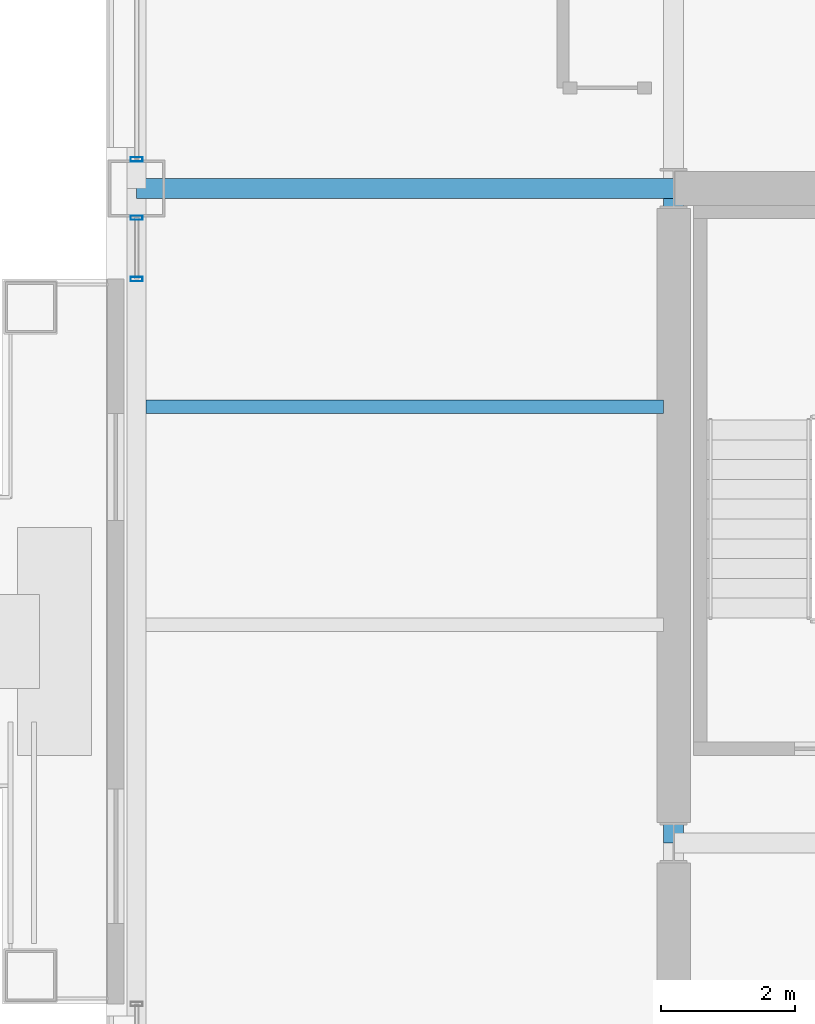
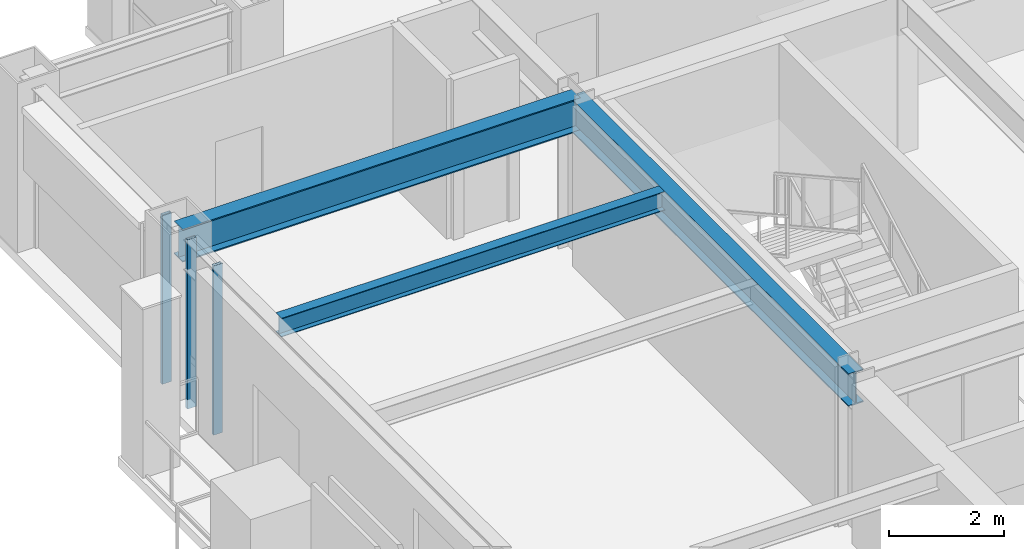
# One storey, part 9 of 30: 3 beams, 3 members, 2 elements without a shape of their own.
"""IFC4 building model written with IfcOpenShell, lengths in metres."""

from ifc_helpers import new_model, si_unit, direction, frame, origin, origin_2d, place, context, subcontext, project, spatial, hollow_rectangle, i_section, extrude, material, layer, layer_set, material_profile, profile_set, type_object, element, aggregate, save


model = new_model("IFC4")

# Units and contexts
model_context = context("Model", 3, precision=1e-05, world=origin(), true_north=direction((0.0, 1.0)))
body_context = subcontext(model_context, "Body", "Model", "MODEL_VIEW")
ifc_project = project(units=[si_unit("LENGTHUNIT", "METRE"), si_unit("AREAUNIT", "SQUARE_METRE"), si_unit("VOLUMEUNIT", "CUBIC_METRE"), si_unit("PLANEANGLEUNIT", "RADIAN"), si_unit("MASSUNIT", "GRAM", prefix="KILO")], contexts=[model_context])

# Site, building, storey
site_placement = place(None, origin())
site = spatial("IfcSite", under=ifc_project, at=site_placement, CompositionType="ELEMENT")
building_placement = place(site_placement, origin())
building = spatial("IfcBuilding", under=site, at=building_placement, Name="Brelmoor Portico Tower", CompositionType="ELEMENT")
storey_placement = place(building_placement, frame((0.0, 0.0, 102.60009765625)))
storey = spatial("IfcBuildingStorey", under=building, at=storey_placement, Name="L26", CompositionType="ELEMENT", Elevation=102.60009765625)

# Beams
ifc_material_1 = material(Name="Steel Q355B", Category="steel")
ifc_material_profile_1 = material_profile(ifc_material_1, i_section(OverallWidth=0.199951171875, OverallDepth=0.39990234375, WebThickness=0.008056640625, FlangeThickness=0.012939453125, at=origin_2d()), Name="HN 400x200x8x13")
ifc_profile_set_1 = profile_set([ifc_material_profile_1], Name="Steel Q355B")
beam_type_1 = type_object("IfcBeamType", Name="BM-JS-400", PredefinedType="JOIST", material=ifc_profile_set_1)
beam_1_placement = place(storey_placement, frame((-22.409912109375, 6.5, 3.199951171875), z_axis=(1.0, 0.0, 0.0), x_axis=(0.0, 1.0, 0.0)))
element("IfcBeam", 1, at=beam_1_placement, inside=storey, type_object=beam_type_1, Name="L26 Secondary Wing Joist JS-W08", PredefinedType="JOIST", context=body_context, shape_type="SweptSolid", body=[
    extrude(i_section(OverallWidth=0.199951171875, OverallDepth=0.39990234375, WebThickness=0.008056640625, FlangeThickness=0.012939453125, at=origin_2d()), origin(), (0.0, 0.0, 1.0), 7.7099609375),
])
ifc_material_profile_2 = material_profile(ifc_material_1, i_section(OverallWidth=0.300048828125, OverallDepth=0.699951171875, WebThickness=0.012939453125, FlangeThickness=0.02392578125, at=origin_2d()), Name="HN 700x300x13x24")
ifc_profile_set_2 = profile_set([ifc_material_profile_2], Name="Steel Q355B")
beam_type_2 = type_object("IfcBeamType", Name="BM-PG-700", PredefinedType="BEAM", material=ifc_profile_set_2)
beam_2_placement = place(storey_placement, frame((-14.550048828125, 0.0, 3.0498046875), z_axis=(0.0, 1.0, 0.0), x_axis=(-1.0, 0.0, 0.0)))
element("IfcBeam", 2, at=beam_2_placement, inside=storey, type_object=beam_type_2, Name="L26 Primary Floor Girder PG-03", PredefinedType="BEAM", context=body_context, shape_type="SweptSolid", body=[
    extrude(i_section(OverallWidth=0.300048828125, OverallDepth=0.699951171875, WebThickness=0.012939453125, FlangeThickness=0.02392578125, at=origin_2d()), origin(), (0.0, 0.0, 1.0), 9.75),
])
beam_3_placement = place(storey_placement, frame((-22.550048828125, 9.75, 3.0498046875), z_axis=(1.0, 0.0, 0.0), x_axis=(0.0, 1.0, 0.0)))
element("IfcBeam", 3, at=beam_3_placement, inside=storey, type_object=beam_type_2, Name="L26 Primary Floor Girder PG-22", PredefinedType="BEAM", context=body_context, shape_type="SweptSolid", body=[
    extrude(i_section(OverallWidth=0.300048828125, OverallDepth=0.699951171875, WebThickness=0.012939453125, FlangeThickness=0.02392578125, at=origin_2d()), origin(), (0.0, 0.0, 1.0), 8.0),
])

# Curtain wall, members
ifc_material_2 = material(Name="Anodised Aluminium Alloy 6063-T6", Category="aluminium")
ifc_layer_1 = layer(ifc_material_2, 0.179931640625)
ifc_layer_set_1 = layer_set([ifc_layer_1], Name="Anodised Aluminium Alloy 6063-T6")
curtain_wall_type_1 = type_object("IfcCurtainWallType", Name="CW-TOWER-Z2", PredefinedType="NOTDEFINED", material=ifc_layer_set_1)
curtain_wall_1_placement = place(storey_placement, origin())
curtain_wall_1 = element("IfcCurtainWall", 4, at=curtain_wall_1_placement, inside=storey, type_object=curtain_wall_type_1, Name="L26 Curtain Wall CW-L26-3R-1", PredefinedType="NOTDEFINED")
ifc_material_profile_3 = material_profile(ifc_material_2, hollow_rectangle(XDim=0.06494140625, YDim=0.179931640625, WallThickness=0.00390625, at=origin_2d()), Name="ALU MULLION 65x180")
ifc_profile_set_3 = profile_set([ifc_material_profile_3], Name="Anodised Aluminium Alloy 6063-T6")
member_type = type_object("IfcMemberType", Name="MB-CW-MULL-180", PredefinedType="MULLION", material=ifc_profile_set_3)
member_1_placement = place(storey_placement, frame((-22.550048828125, 8.39990234375, -0.2001953125), z_axis=(0.0, 0.0, 1.0), x_axis=(0.0, 1.0, 0.0)))
member_1 = element("IfcMember", 5, at=member_1_placement, type_object=member_type, Name="CW-L26-3R-1 Mullion 00", PredefinedType="MULLION", context=body_context, shape_type="SweptSolid", body=[
    extrude(hollow_rectangle(XDim=0.06494140625, YDim=0.179931640625, WallThickness=0.00390625, at=origin_2d()), origin(), (0.0, 0.0, 1.0), 3.60009765625),
])
member_2_placement = place(storey_placement, frame((-22.550048828125, 9.31494140625, -0.2001953125), z_axis=(0.0, 0.0, 1.0), x_axis=(0.0, 1.0, 0.0)))
member_2 = element("IfcMember", 6, at=member_2_placement, type_object=member_type, Name="CW-L26-3R-1 Mullion 01", PredefinedType="MULLION", context=body_context, shape_type="SweptSolid", body=[
    extrude(hollow_rectangle(XDim=0.06494140625, YDim=0.179931640625, WallThickness=0.00390625, at=origin_2d()), origin(), (0.0, 0.0, 1.0), 3.60009765625),
])
aggregate(curtain_wall_1, [member_1, member_2])

# Curtain wall, member
ifc_layer_2 = layer(ifc_material_2, 0.179931640625)
ifc_layer_set_2 = layer_set([ifc_layer_2], Name="Anodised Aluminium Alloy 6063-T6")
curtain_wall_type_2 = type_object("IfcCurtainWallType", Name="CW-TOWER-Z2-XB", PredefinedType="NOTDEFINED", material=ifc_layer_set_2)
curtain_wall_2_placement = place(storey_placement, origin())
curtain_wall_2 = element("IfcCurtainWall", 7, at=curtain_wall_2_placement, inside=storey, type_object=curtain_wall_type_2, Name="L26 Curtain Wall CW-L26-3R-2", PredefinedType="NOTDEFINED")
member_3_placement = place(storey_placement, frame((-22.550048828125, 10.18505859375, -0.2001953125), z_axis=(0.0, 0.0, 1.0), x_axis=(0.0, 1.0, 0.0)))
member_3 = element("IfcMember", 8, at=member_3_placement, type_object=member_type, Name="CW-L26-3R-2 Mullion 00", PredefinedType="MULLION", context=body_context, shape_type="SweptSolid", body=[
    extrude(hollow_rectangle(XDim=0.06494140625, YDim=0.179931640625, WallThickness=0.00390625, at=origin_2d()), origin(), (0.0, 0.0, 1.0), 3.60009765625),
])
aggregate(curtain_wall_2, [member_3])

save(model, "model.ifc")
